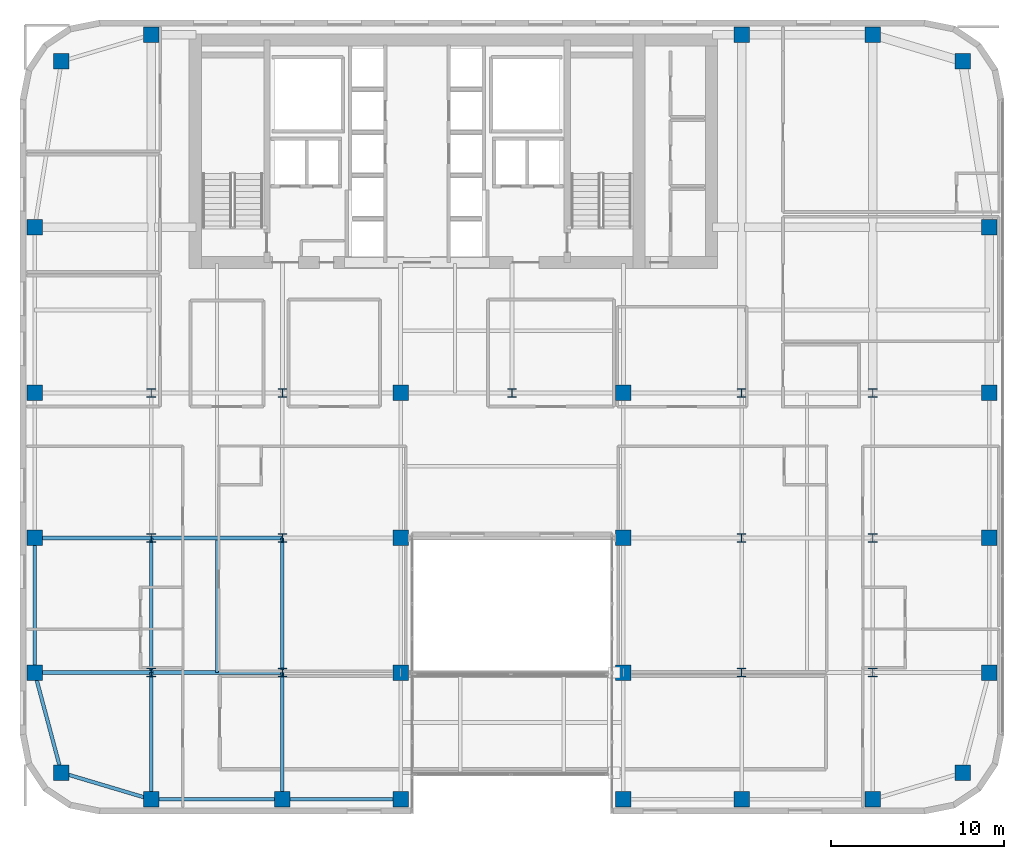
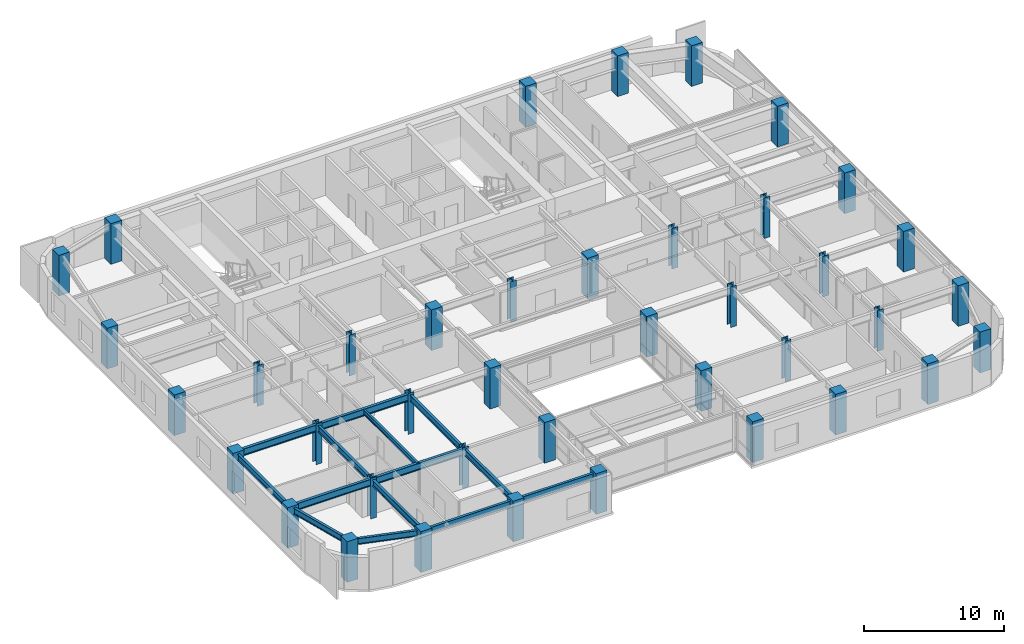
# One storey, part 1 of 25: 40 columns, 14 beams.
"""IFC4 building model written with IfcOpenShell, lengths in metres."""

from ifc_helpers import new_model, si_unit, direction, frame, origin, origin_2d, place, context, subcontext, project, spatial, rectangle, i_section, extrude, source, transform, mapped, material, material_profile, profile_set, type_object, type_shapes, element, save


model = new_model("IFC4")

# Units and contexts
model_context = context("Model", 3, precision=1e-05, world=origin(), true_north=direction((0.0, 1.0)))
body_context = subcontext(model_context, "Body", "Model", "MODEL_VIEW")
ifc_project = project(units=[si_unit("LENGTHUNIT", "METRE"), si_unit("AREAUNIT", "SQUARE_METRE"), si_unit("VOLUMEUNIT", "CUBIC_METRE"), si_unit("PLANEANGLEUNIT", "RADIAN"), si_unit("MASSUNIT", "GRAM", prefix="KILO")], contexts=[model_context])

# Site, building, storey
site_placement = place(None, origin())
site = spatial("IfcSite", under=ifc_project, at=site_placement, CompositionType="ELEMENT")
building_placement = place(site_placement, origin())
building = spatial("IfcBuilding", under=site, at=building_placement, Name="Tolvann Quenvar Hotel", CompositionType="ELEMENT")
storey_placement = place(building_placement, frame((0.0, 0.0, 122.199951171875)))
storey = spatial("IfcBuildingStorey", under=building, at=storey_placement, Name="L31", CompositionType="ELEMENT", Elevation=122.199951171875)

# Columns
ifc_material_1 = material(Name="Concrete S65 (65 MPa)", Category="concrete")
ifc_material_profile_1 = material_profile(ifc_material_1, rectangle(XDim=0.89990234375, YDim=0.89990234375, at=origin_2d()), Name="RC900x900")
ifc_profile_set_1 = profile_set([ifc_material_profile_1], Name="Concrete S65 (65 MPa)")
column_type_1 = type_object("IfcColumnType", Name="COL_RC900", PredefinedType="COLUMN", material=ifc_profile_set_1)
shared_shape_1 = source(origin(), body_context, "Body", "SweptSolid", [
    extrude(rectangle(XDim=0.89990234375, YDim=0.89990234375, at=origin_2d()), origin(), (0.0, 0.0, 1.0), 3.550048828125),
])
type_shapes(column_type_1, [shared_shape_1])
for number, where, z_axis, x_axis, name in (
    (1, (2.39990234375, 2.39990234375, 0.0), (0.0, 0.0, 1.0), (1.0, 0.0, 0.0), "Column B2 (L31)"),
    (2, (0.85009765625, 8.199951171875, 0.0), (0.0, 0.0, 1.0), (1.0, 0.0, 0.0), "Column B3 (L31)"),
    (3, (0.85009765625, 16.0, 0.0), (0.0, 0.0, 1.0), (1.0, 0.0, 0.0), "Column B4 (L31)"),
    (4, (0.85009765625, 24.39990234375, 0.0), (0.0, 0.0, 1.0), (1.0, 0.0, 0.0), "Column B5 (L31)"),
    (5, (7.60009765625, 0.85009765625, 0.0), (0.0, 0.0, 1.0), (1.0, 0.0, 0.0), "Column C2 (L31)"),
    (6, (15.199951171875, 0.85009765625, 0.0), (0.0, 0.0, 1.0), (1.0, 0.0, 0.0), "Column D2 (L31)"),
    (7, (22.050048828125, 0.85009765625, 0.0), (0.0, 0.0, 1.0), (1.0, 0.0, 0.0), "Column E2 (L31)"),
    (8, (22.050048828125, 8.199951171875, 0.0), (0.0, 0.0, 1.0), (1.0, 0.0, 0.0), "Column E3 (L31)"),
    (9, (22.050048828125, 16.0, 0.0), (0.0, 0.0, 1.0), (1.0, 0.0, 0.0), "Column E4 (L31)"),
    (10, (22.050048828125, 24.39990234375, 0.0), (0.0, 0.0, 1.0), (1.0, 0.0, 0.0), "Column E5 (L31)"),
    (11, (34.949951171875, 0.85009765625, 0.0), (0.0, 0.0, 1.0), (1.0, 0.0, 0.0), "Column F2 (L31)"),
    (12, (34.949951171875, 8.199951171875, 0.0), (0.0, 0.0, 1.0), (1.0, 0.0, 0.0), "Column F3 (L31)"),
    (13, (34.949951171875, 16.0, 0.0), (0.0, 0.0, 1.0), (1.0, 0.0, 0.0), "Column F4 (L31)"),
    (14, (34.949951171875, 24.39990234375, 0.0), (0.0, 0.0, 1.0), (1.0, 0.0, 0.0), "Column F5 (L31)"),
    (15, (41.800048828125, 0.85009765625, 0.0), (0.0, 0.0, 1.0), (1.0, 0.0, 0.0), "Column H2 (L31)"),
    (16, (49.39990234375, 0.85009765625, 0.0), (0.0, 0.0, 1.0), (1.0, 0.0, 0.0), "Column I2 (L31)"),
    (17, (54.60009765625, 2.39990234375, 0.0), (0.0, 0.0, 1.0), (1.0, 0.0, 0.0), "Column J2 (L31)"),
    (18, (56.14990234375, 8.199951171875, 0.0), (0.0, 0.0, 1.0), (1.0, 0.0, 0.0), "Column J3 (L31)"),
    (19, (56.14990234375, 16.0, 0.0), (0.0, 0.0, 1.0), (1.0, 0.0, 0.0), "Column J4 (L31)"),
    (20, (56.14990234375, 24.39990234375, 0.0), (0.0, 0.0, 1.0), (1.0, 0.0, 0.0), "Column J5 (L31)"),
    (21, (2.39990234375, 43.60009765625, 0.0), (0.0, 0.0, 1.0), (1.0, 0.0, 0.0), "Column BN (L31)"),
    (22, (7.60009765625, 45.14990234375, 0.0), (0.0, 0.0, 1.0), (1.0, 0.0, 0.0), "Column CN (L31)"),
    (23, (0.85009765625, 34.0, 0.0), (0.0, 0.0, 1.0), (1.0, 0.0, 0.0), "Column BD6 (L31)"),
    (24, (41.800048828125, 45.14990234375, 0.0), (0.0, 0.0, 1.0), (1.0, 0.0, 0.0), "Column HN (L31)"),
    (25, (49.39990234375, 45.14990234375, 0.0), (0.0, 0.0, 1.0), (1.0, 0.0, 0.0), "Column IN (L31)"),
    (26, (54.60009765625, 43.60009765625, 0.0), (0.0, 0.0, 1.0), (1.0, 0.0, 0.0), "Column JN (L31)"),
    (27, (56.14990234375, 34.0, 0.0), (0.0, 0.0, 1.0), (1.0, 0.0, 0.0), "Column JD6 (L31)"),
):
    element("IfcColumn", number, at=place(storey_placement, frame(where, z_axis=z_axis, x_axis=x_axis)), inside=storey, type_object=column_type_1, Name=name, PredefinedType="COLUMN", context=body_context, shape_type="MappedRepresentation", body=[
        mapped(shared_shape_1, transform((0.0, 0.0, 0.0), x_axis=(1.0, 0.0, 0.0), y_axis=(0.0, 1.0, 0.0), z_axis=(0.0, 0.0, 1.0), scale=1.0)),
    ])
ifc_material_2 = material(Name="Steel Grade 350", Category="steel")
ifc_material_profile_2 = material_profile(ifc_material_2, i_section(OverallWidth=0.5, OverallDepth=0.5, WebThickness=0.02197265625, FlangeThickness=0.033935546875, at=origin_2d()), Name="500WC340")
ifc_profile_set_2 = profile_set([ifc_material_profile_2], Name="Steel Grade 350")
column_type_2 = type_object("IfcColumnType", Name="COL_500WC340", PredefinedType="COLUMN", material=ifc_profile_set_2)
shared_shape_2 = source(origin(), body_context, "Body", "SweptSolid", [
    extrude(i_section(OverallWidth=0.5, OverallDepth=0.5, WebThickness=0.02197265625, FlangeThickness=0.033935546875, at=origin_2d()), origin(), (0.0, 0.0, 1.0), 3.550048828125),
])
type_shapes(column_type_2, [shared_shape_2])
for number, where, z_axis, x_axis, name in (
    (28, (7.60009765625, 8.199951171875, 0.0), (0.0, 0.0, 1.0), (1.0, 0.0, 0.0), "Column C3 (L31)"),
    (29, (7.60009765625, 16.0, 0.0), (0.0, 0.0, 1.0), (1.0, 0.0, 0.0), "Column C4 (L31)"),
    (30, (7.60009765625, 24.39990234375, 0.0), (0.0, 0.0, 1.0), (1.0, 0.0, 0.0), "Column C5 (L31)"),
    (31, (15.199951171875, 8.199951171875, 0.0), (0.0, 0.0, 1.0), (1.0, 0.0, 0.0), "Column D3 (L31)"),
    (32, (15.199951171875, 16.0, 0.0), (0.0, 0.0, 1.0), (1.0, 0.0, 0.0), "Column D4 (L31)"),
    (33, (15.199951171875, 24.39990234375, 0.0), (0.0, 0.0, 1.0), (1.0, 0.0, 0.0), "Column D5 (L31)"),
    (34, (41.800048828125, 8.199951171875, 0.0), (0.0, 0.0, 1.0), (1.0, 0.0, 0.0), "Column H3 (L31)"),
    (35, (41.800048828125, 16.0, 0.0), (0.0, 0.0, 1.0), (1.0, 0.0, 0.0), "Column H4 (L31)"),
    (36, (41.800048828125, 24.39990234375, 0.0), (0.0, 0.0, 1.0), (1.0, 0.0, 0.0), "Column H5 (L31)"),
    (37, (49.39990234375, 8.199951171875, 0.0), (0.0, 0.0, 1.0), (1.0, 0.0, 0.0), "Column I3 (L31)"),
    (38, (49.39990234375, 16.0, 0.0), (0.0, 0.0, 1.0), (1.0, 0.0, 0.0), "Column I4 (L31)"),
    (39, (49.39990234375, 24.39990234375, 0.0), (0.0, 0.0, 1.0), (1.0, 0.0, 0.0), "Column I5 (L31)"),
    (40, (28.5, 24.39990234375, 0.0), (0.0, 0.0, 1.0), (1.0, 0.0, 0.0), "Column M5 (L31)"),
):
    element("IfcColumn", number, at=place(storey_placement, frame(where, z_axis=z_axis, x_axis=x_axis)), inside=storey, type_object=column_type_2, Name=name, PredefinedType="COLUMN", context=body_context, shape_type="MappedRepresentation", body=[
        mapped(shared_shape_2, transform((0.0, 0.0, 0.0), x_axis=(1.0, 0.0, 0.0), y_axis=(0.0, 1.0, 0.0), z_axis=(0.0, 0.0, 1.0), scale=1.0)),
    ])

# Beams
ifc_material_profile_3 = material_profile(ifc_material_2, i_section(OverallWidth=0.208984375, OverallDepth=0.528076171875, WebThickness=0.009521484375, FlangeThickness=0.01318359375, FilletRadius=0.013916015625, at=origin_2d()), Name="530UB82")
ifc_profile_set_3 = profile_set([ifc_material_profile_3], Name="Steel Grade 350")
beam_type_1 = type_object("IfcBeamType", Name="BM_SPAND_530UB82", PredefinedType="SPANDREL", material=ifc_profile_set_3)
shared_shape_3 = source(origin(), body_context, "Body", "SweptSolid", [
    extrude(i_section(OverallWidth=0.208984375, OverallDepth=0.528076171875, WebThickness=0.009521484375, FlangeThickness=0.01318359375, FilletRadius=0.013916015625, at=origin_2d()), origin(), (0.0, 0.0, 1.0), 5.42626953125),
])
beam_1_placement = place(storey_placement, frame((2.39990234375, 2.39990234375, 3.10595703125), z_axis=(0.958344815522, -0.285613750654, 0.0), x_axis=(0.285613750654, 0.958344815522, 0.0)))
element("IfcBeam", 41, at=beam_1_placement, inside=storey, type_object=beam_type_1, Name="BM-L31-EW-2-B2-C2", PredefinedType="SPANDREL", context=body_context, shape_type="MappedRepresentation", body=[
    mapped(shared_shape_3, transform((0.0, 0.0, 0.0), x_axis=(1.0, 0.0, 0.0), y_axis=(0.0, 1.0, 0.0), z_axis=(0.0, 0.0, 1.0), scale=1.0)),
])
shared_shape_4 = source(origin(), body_context, "Body", "SweptSolid", [
    extrude(i_section(OverallWidth=0.208984375, OverallDepth=0.528076171875, WebThickness=0.009521484375, FlangeThickness=0.01318359375, FilletRadius=0.013916015625, at=origin_2d()), origin(), (0.0, 0.0, 1.0), 7.599853515625),
])
beam_2_placement = place(storey_placement, frame((7.60009765625, 0.85009765625, 3.10595703125), z_axis=(1.0, 0.0, 0.0), x_axis=(0.0, 1.0, 0.0)))
element("IfcBeam", 42, at=beam_2_placement, inside=storey, type_object=beam_type_1, Name="BM-L31-EW-2-C2-D2", PredefinedType="SPANDREL", context=body_context, shape_type="MappedRepresentation", body=[
    mapped(shared_shape_4, transform((0.0, 0.0, 0.0), x_axis=(1.0, 0.0, 0.0), y_axis=(0.0, 1.0, 0.0), z_axis=(0.0, 0.0, 1.0), scale=1.0)),
])
shared_shape_5 = source(origin(), body_context, "Body", "SweptSolid", [
    extrude(i_section(OverallWidth=0.208984375, OverallDepth=0.528076171875, WebThickness=0.009521484375, FlangeThickness=0.01318359375, FilletRadius=0.013916015625, at=origin_2d()), origin(), (0.0, 0.0, 1.0), 6.85009765625),
])
beam_3_placement = place(storey_placement, frame((15.199951171875, 0.85009765625, 3.10595703125), z_axis=(1.0, 0.0, 0.0), x_axis=(0.0, 1.0, 0.0)))
element("IfcBeam", 43, at=beam_3_placement, inside=storey, type_object=beam_type_1, Name="BM-L31-EW-2-D2-E2", PredefinedType="SPANDREL", context=body_context, shape_type="MappedRepresentation", body=[
    mapped(shared_shape_5, transform((0.0, 0.0, 0.0), x_axis=(1.0, 0.0, 0.0), y_axis=(0.0, 1.0, 0.0), z_axis=(0.0, 0.0, 1.0), scale=1.0)),
])
ifc_material_profile_4 = material_profile(ifc_material_2, i_section(OverallWidth=0.22900390625, OverallDepth=0.612060546875, WebThickness=0.011962890625, FlangeThickness=0.01953125, FilletRadius=0.013916015625, at=origin_2d()), Name="610UB125")
ifc_profile_set_4 = profile_set([ifc_material_profile_4], Name="Steel Grade 350")
beam_type_2 = type_object("IfcBeamType", Name="BM_GIRD_610UB125", PredefinedType="BEAM", material=ifc_profile_set_4)
shared_shape_6 = source(origin(), body_context, "Body", "SweptSolid", [
    extrude(i_section(OverallWidth=0.22900390625, OverallDepth=0.612060546875, WebThickness=0.011962890625, FlangeThickness=0.01953125, FilletRadius=0.013916015625, at=origin_2d()), origin(), (0.0, 0.0, 1.0), 6.75),
])
for number, where, z_axis, x_axis, name in (
    (44, (0.85009765625, 8.199951171875, 3.06396484375), (1.0, 0.0, 0.0), (0.0, 1.0, 0.0), "BM-L31-EW-3-B3-C3"),
    (45, (0.85009765625, 16.0, 3.06396484375), (1.0, 0.0, 0.0), (0.0, 1.0, 0.0), "BM-L31-EW-4-B4-C4"),
):
    element("IfcBeam", number, at=place(storey_placement, frame(where, z_axis=z_axis, x_axis=x_axis)), inside=storey, type_object=beam_type_2, Name=name, PredefinedType="BEAM", context=body_context, shape_type="MappedRepresentation", body=[
        mapped(shared_shape_6, transform((0.0, 0.0, 0.0), x_axis=(1.0, 0.0, 0.0), y_axis=(0.0, 1.0, 0.0), z_axis=(0.0, 0.0, 1.0), scale=1.0)),
    ])
shared_shape_7 = source(origin(), body_context, "Body", "SweptSolid", [
    extrude(i_section(OverallWidth=0.22900390625, OverallDepth=0.612060546875, WebThickness=0.011962890625, FlangeThickness=0.01953125, FilletRadius=0.013916015625, at=origin_2d()), origin(), (0.0, 0.0, 1.0), 7.599853515625),
])
type_shapes(beam_type_2, [shared_shape_6, shared_shape_7])
for number, where, z_axis, x_axis, name in (
    (46, (7.60009765625, 8.199951171875, 3.06396484375), (1.0, 0.0, 0.0), (0.0, 1.0, 0.0), "BM-L31-EW-3-C3-D3"),
    (47, (7.60009765625, 16.0, 3.06396484375), (1.0, 0.0, 0.0), (0.0, 1.0, 0.0), "BM-L31-EW-4-C4-D4"),
):
    element("IfcBeam", number, at=place(storey_placement, frame(where, z_axis=z_axis, x_axis=x_axis)), inside=storey, type_object=beam_type_2, Name=name, PredefinedType="BEAM", context=body_context, shape_type="MappedRepresentation", body=[
        mapped(shared_shape_7, transform((0.0, 0.0, 0.0), x_axis=(1.0, 0.0, 0.0), y_axis=(0.0, 1.0, 0.0), z_axis=(0.0, 0.0, 1.0), scale=1.0)),
    ])
shared_shape_8 = source(origin(), body_context, "Body", "SweptSolid", [
    extrude(i_section(OverallWidth=0.208984375, OverallDepth=0.528076171875, WebThickness=0.009521484375, FlangeThickness=0.01318359375, FilletRadius=0.013916015625, at=origin_2d()), origin(), (0.0, 0.0, 1.0), 6.00341796875),
])
beam_4_placement = place(storey_placement, frame((2.39990234375, 2.39990234375, 3.10595703125), z_axis=(-0.258148586649, 0.966105225745, 0.0), x_axis=(-0.966105225745, -0.258148586649, 0.0)))
element("IfcBeam", 48, at=beam_4_placement, inside=storey, type_object=beam_type_1, Name="BM-L31-NS-B2-B3", PredefinedType="SPANDREL", context=body_context, shape_type="MappedRepresentation", body=[
    mapped(shared_shape_8, transform((0.0, 0.0, 0.0), x_axis=(1.0, 0.0, 0.0), y_axis=(0.0, 1.0, 0.0), z_axis=(0.0, 0.0, 1.0), scale=1.0)),
])
shared_shape_9 = source(origin(), body_context, "Body", "SweptSolid", [
    extrude(i_section(OverallWidth=0.208984375, OverallDepth=0.528076171875, WebThickness=0.009521484375, FlangeThickness=0.01318359375, FilletRadius=0.013916015625, at=origin_2d()), origin(), (0.0, 0.0, 1.0), 7.800048828125),
])
type_shapes(beam_type_1, [shared_shape_3, shared_shape_4, shared_shape_5, shared_shape_8, shared_shape_9])
beam_5_placement = place(storey_placement, frame((0.85009765625, 8.199951171875, 3.10595703125), z_axis=(0.0, 1.0, 0.0), x_axis=(-1.0, 0.0, 0.0)))
element("IfcBeam", 49, at=beam_5_placement, inside=storey, type_object=beam_type_1, Name="BM-L31-NS-B3-B4", PredefinedType="SPANDREL", context=body_context, shape_type="MappedRepresentation", body=[
    mapped(shared_shape_9, transform((0.0, 0.0, 0.0), x_axis=(1.0, 0.0, 0.0), y_axis=(0.0, 1.0, 0.0), z_axis=(0.0, 0.0, 1.0), scale=1.0)),
])
ifc_material_profile_5 = material_profile(ifc_material_2, i_section(OverallWidth=0.208984375, OverallDepth=0.532958984375, WebThickness=0.01025390625, FlangeThickness=0.015625, FilletRadius=0.013916015625, at=origin_2d()), Name="530UB92")
ifc_profile_set_5 = profile_set([ifc_material_profile_5], Name="Steel Grade 350")
beam_type_3 = type_object("IfcBeamType", Name="BM_GIRD_530UB92", PredefinedType="BEAM", material=ifc_profile_set_5)
shared_shape_10 = source(origin(), body_context, "Body", "SweptSolid", [
    extrude(i_section(OverallWidth=0.208984375, OverallDepth=0.532958984375, WebThickness=0.01025390625, FlangeThickness=0.015625, FilletRadius=0.013916015625, at=origin_2d()), origin(), (0.0, 0.0, 1.0), 7.349853515625),
])
for number, where, z_axis, x_axis, name in (
    (50, (7.60009765625, 0.85009765625, 3.103515625), (0.0, 1.0, 0.0), (-1.0, 0.0, 0.0), "BM-L31-NS-C2-C3"),
    (51, (15.199951171875, 0.85009765625, 3.103515625), (0.0, 1.0, 0.0), (-1.0, 0.0, 0.0), "BM-L31-NS-D2-D3"),
):
    element("IfcBeam", number, at=place(storey_placement, frame(where, z_axis=z_axis, x_axis=x_axis)), inside=storey, type_object=beam_type_3, Name=name, PredefinedType="BEAM", context=body_context, shape_type="MappedRepresentation", body=[
        mapped(shared_shape_10, transform((0.0, 0.0, 0.0), x_axis=(1.0, 0.0, 0.0), y_axis=(0.0, 1.0, 0.0), z_axis=(0.0, 0.0, 1.0), scale=1.0)),
    ])
shared_shape_11 = source(origin(), body_context, "Body", "SweptSolid", [
    extrude(i_section(OverallWidth=0.208984375, OverallDepth=0.532958984375, WebThickness=0.01025390625, FlangeThickness=0.015625, FilletRadius=0.013916015625, at=origin_2d()), origin(), (0.0, 0.0, 1.0), 7.800048828125),
])
type_shapes(beam_type_3, [shared_shape_10, shared_shape_11])
for number, where, z_axis, x_axis, name in (
    (52, (7.60009765625, 8.199951171875, 3.103515625), (0.0, 1.0, 0.0), (-1.0, 0.0, 0.0), "BM-L31-NS-C3-C4"),
    (53, (15.199951171875, 8.199951171875, 3.103515625), (0.0, 1.0, 0.0), (-1.0, 0.0, 0.0), "BM-L31-NS-D3-D4"),
):
    element("IfcBeam", number, at=place(storey_placement, frame(where, z_axis=z_axis, x_axis=x_axis)), inside=storey, type_object=beam_type_3, Name=name, PredefinedType="BEAM", context=body_context, shape_type="MappedRepresentation", body=[
        mapped(shared_shape_11, transform((0.0, 0.0, 0.0), x_axis=(1.0, 0.0, 0.0), y_axis=(0.0, 1.0, 0.0), z_axis=(0.0, 0.0, 1.0), scale=1.0)),
    ])
ifc_material_profile_6 = material_profile(ifc_material_2, i_section(OverallWidth=0.177978515625, OverallDepth=0.406005859375, WebThickness=0.0078125, FlangeThickness=0.0126953125, FilletRadius=0.011474609375, at=origin_2d()), Name="410UB60")
ifc_profile_set_6 = profile_set([ifc_material_profile_6], Name="Steel Grade 350")
beam_type_4 = type_object("IfcBeamType", Name="BM_JOIST_410UB60", PredefinedType="JOIST", material=ifc_profile_set_6)
shared_shape_12 = source(origin(), body_context, "Body", "SweptSolid", [
    extrude(i_section(OverallWidth=0.177978515625, OverallDepth=0.406005859375, WebThickness=0.0078125, FlangeThickness=0.0126953125, FilletRadius=0.011474609375, at=origin_2d()), origin(), (0.0, 0.0, 1.0), 7.691650390625),
])
type_shapes(beam_type_4, [shared_shape_12])
beam_6_placement = place(storey_placement, frame((11.39990234375, 8.199951171875, 3.1669921875), z_axis=(0.0, 1.0, 0.0), x_axis=(-1.0, 0.0, 0.0)))
element("IfcBeam", 54, at=beam_6_placement, inside=storey, type_object=beam_type_4, Name="BJ-L31-114-82", PredefinedType="JOIST", context=body_context, shape_type="MappedRepresentation", body=[
    mapped(shared_shape_12, transform((0.0, 0.0, 0.0), x_axis=(1.0, 0.0, 0.0), y_axis=(0.0, 1.0, 0.0), z_axis=(0.0, 0.0, 1.0), scale=1.0)),
])

save(model, "model.ifc")
